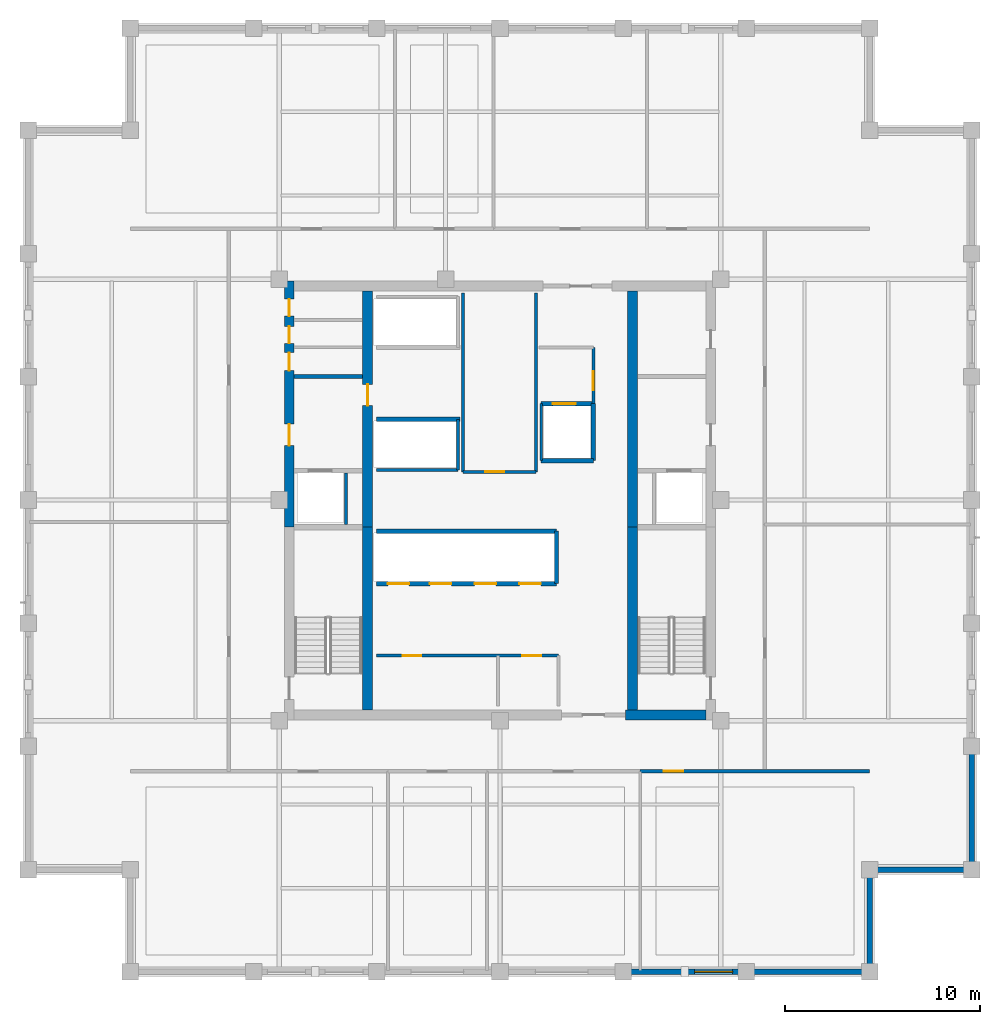
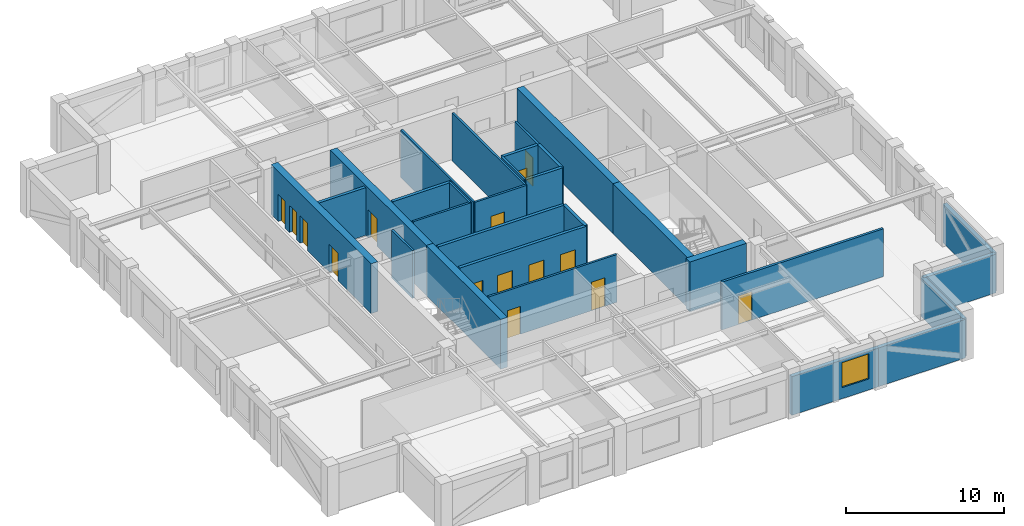
# One storey, part 6 of 11: 29 walls, 15 doors, 1 window, 16 openings.
"""IFC4 building model written with IfcOpenShell, lengths in metres."""

from ifc_helpers import new_model, si_unit, direction, frame, frame_2d, origin, place, context, subcontext, project, spatial, rectangle, extrude, material, layer, layer_set, type_object, element, fill, save


model = new_model("IFC4")

# Units and contexts
model_context = context("Model", 3, precision=1e-05, world=origin(), true_north=direction((0.0, 1.0)))
body_context = subcontext(model_context, "Body", "Model", "MODEL_VIEW")
ifc_project = project(units=[si_unit("LENGTHUNIT", "METRE"), si_unit("AREAUNIT", "SQUARE_METRE"), si_unit("VOLUMEUNIT", "CUBIC_METRE"), si_unit("PLANEANGLEUNIT", "RADIAN"), si_unit("MASSUNIT", "GRAM", prefix="KILO")], contexts=[model_context])

# Site, building, storey
site_placement = place(None, origin())
site = spatial("IfcSite", under=ifc_project, at=site_placement, CompositionType="ELEMENT")
building_placement = place(site_placement, origin())
building = spatial("IfcBuilding", under=site, at=building_placement, Name="Nhamokura Convention Tower", CompositionType="ELEMENT")
storey_placement = place(building_placement, frame((0.0, 0.0, 198.449951171875)))
storey = spatial("IfcBuildingStorey", under=building, at=storey_placement, Name="L48", CompositionType="ELEMENT", Elevation=198.449951171875)

# Wall, opening, window
ifc_material_1 = material(Name="Bronze-pigmented precast concrete C45/55", Category="concrete")
ifc_layer_1 = layer(ifc_material_1, 0.280029296875)
ifc_layer_set_1 = layer_set([ifc_layer_1], Name="BronzePrecastSpandrel_280")
wall_type_1 = type_object("IfcWallType", Name="BronzePrecastSpandrel_280", PredefinedType="USERDEFINED", material=ifc_layer_set_1)
wall_1_placement = place(storey_placement, frame((44.666748046875, 7.75, 0.0), z_axis=(0.0, 0.0, 1.0), x_axis=(-1.0, 0.0, 0.0)))
wall_1 = element("IfcWall", 1, at=wall_1_placement, inside=storey, type_object=wall_type_1, Name="L48 Masonry-Frame Wall SOUTH 4", ObjectType="SPANDREL_WALL", PredefinedType="USERDEFINED", context=body_context, shape_type="SweptSolid", body=[
    extrude(rectangle(XDim=6.33349609375, YDim=0.280029296875, at=frame_2d((3.166748046875, 0.0))), origin(), (0.0, 0.0, 1.0), 2.985107421875),
])
opening_1_placement = place(wall_1_placement, frame((0.708251953125, 0.0, 0.85009765625)))
opening_1 = element("IfcOpeningElement", 2, at=opening_1_placement, cuts=wall_1, Name="Opening W-08", PredefinedType="OPENING", context=body_context, shape_type="SweptSolid", body=[
    extrude(rectangle(XDim=1.949951171875, YDim=1.93505859375, at=frame_2d((0.97509765625, 0.967529296875))), frame((0.0, 0.14990234375, 0.0), z_axis=(0.0, -1.0, 0.0), x_axis=(1.0, 0.0, 0.0)), (0.0, 0.0, 1.0), 0.300048828125),
])
ifc_material_2 = material(Name="Solar-control bronze low-E double glass", Category="glass")
window_type = type_object("IfcWindowType", Name="OfficeModuleWindow_Z3_1950", PartitioningType="SINGLE_PANEL", PredefinedType="WINDOW", material=ifc_material_2)
window_placement = place(opening_1_placement, origin())
window = element("IfcWindow", 3, at=window_placement, inside=storey, type_object=window_type, Name="L48 Facade Window SOUTH 4-1", OverallHeight=1.93505859375, OverallWidth=1.949951171875, PartitioningType="SINGLE_PANEL", PredefinedType="WINDOW", context=body_context, shape_type="SweptSolid", body=[
    extrude(rectangle(XDim=1.949951171875, YDim=1.93505859375, at=frame_2d((0.97509765625, 0.967529296875))), frame((0.0, 0.030029296875, 0.0), z_axis=(0.0, -1.0, 0.0), x_axis=(1.0, 0.0, 0.0)), (0.0, 0.0, 1.0), 0.06005859375),
])
fill(opening_1, window)

# Walls
for number, where, z_axis, x_axis, name in (
    (4, (51.0, 7.75, 0.0), (0.0, 0.0, 1.0), (-1.0, 0.0, 0.0), "L48 Braced-Bay Precast Wall SOUTH 5"),
    (5, (56.25, 19.333251953125, 0.0), (0.0, 0.0, 1.0), (0.0, -1.0, 0.0), "L48 Braced-Bay Precast Wall EAST 0"),
):
    element("IfcWall", number, at=place(storey_placement, frame(where, z_axis=z_axis, x_axis=x_axis)), inside=storey, type_object=wall_type_1, Name=name, ObjectType="SPANDREL_WALL", PredefinedType="USERDEFINED", context=body_context, shape_type="SweptSolid", body=[
        extrude(rectangle(XDim=6.333251953125, YDim=0.280029296875, at=frame_2d((3.16650390625, 0.0))), origin(), (0.0, 0.0, 1.0), 2.985107421875),
    ])
for number, where, z_axis, x_axis, name in (
    (6, (51.0, 13.0, 0.0), (0.0, 0.0, 1.0), (0.0, -1.0, 0.0), "L48 Notched Corner Wall SE1"),
    (7, (56.25, 13.0, 0.0), (0.0, 0.0, 1.0), (-1.0, 0.0, 0.0), "L48 Notched Corner Wall SE2"),
):
    element("IfcWall", number, at=place(storey_placement, frame(where, z_axis=z_axis, x_axis=x_axis)), inside=storey, type_object=wall_type_1, Name=name, ObjectType="SPANDREL_WALL", PredefinedType="USERDEFINED", context=body_context, shape_type="SweptSolid", body=[
        extrude(rectangle(XDim=5.25, YDim=0.280029296875, at=frame_2d((2.625, 0.0))), origin(), (0.0, 0.0, 1.0), 2.985107421875),
    ])

# Wall, openings, doors
ifc_material_3 = material(Name="Concrete C60/75", Category="concrete")
ifc_layer_2 = layer(ifc_material_3, 0.5)
ifc_layer_set_2 = layer_set([ifc_layer_2], Name="CoreShearWall_500")
wall_type_2 = type_object("IfcWallType", Name="CoreShearWall_500", PredefinedType="SHEAR", material=ifc_layer_set_2)
wall_2_placement = place(storey_placement, frame((21.159912109375, 30.60009765625, 0.0), z_axis=(0.0, 0.0, 1.0), x_axis=(0.0, 1.0, 0.0)))
wall_2 = element("IfcWall", 8, at=wall_2_placement, inside=storey, type_object=wall_type_2, Name="L48 Core Shear Wall CW-WN", PredefinedType="SHEAR", context=body_context, shape_type="SweptSolid", body=[
    extrude(rectangle(XDim=12.64990234375, YDim=0.5, at=frame_2d((6.324951171875, 0.0))), origin(), (0.0, 0.0, 1.0), 3.85009765625),
])
opening_2_placement = place(wall_2_placement, frame((4.199951171875, 0.0, 0.0)))
opening_2 = element("IfcOpeningElement", 9, at=opening_2_placement, cuts=wall_2, Name="Opening D-05", PredefinedType="OPENING", context=body_context, shape_type="SweptSolid", body=[
    extrude(rectangle(XDim=1.10009765625, YDim=2.14990234375, at=frame_2d((0.550048828125, 1.074951171875))), frame((0.0, 0.260009765625, 0.0), z_axis=(0.0, -1.0, 0.0), x_axis=(1.0, 0.0, 0.0)), (0.0, 0.0, 1.0), 0.52001953125),
])
opening_3_placement = place(wall_2_placement, frame((8.050048828125, 0.0, 0.0)))
opening_3 = element("IfcOpeningElement", 10, at=opening_3_placement, cuts=wall_2, Name="Opening D-10", PredefinedType="OPENING", context=body_context, shape_type="SweptSolid", body=[
    extrude(rectangle(XDim=0.919921875, YDim=2.10009765625, at=frame_2d((0.4599609375, 1.050048828125))), frame((0.0, 0.260009765625, 0.0), z_axis=(0.0, -1.0, 0.0), x_axis=(1.0, 0.0, 0.0)), (0.0, 0.0, 1.0), 0.52001953125),
])
opening_4_placement = place(wall_2_placement, frame((9.449951171875, 0.0, 0.0)))
opening_4 = element("IfcOpeningElement", 11, at=opening_4_placement, cuts=wall_2, Name="Opening D-11", PredefinedType="OPENING", context=body_context, shape_type="SweptSolid", body=[
    extrude(rectangle(XDim=0.8798828125, YDim=2.10009765625, at=frame_2d((0.43994140625, 1.050048828125))), frame((0.0, 0.260009765625, 0.0), z_axis=(0.0, -1.0, 0.0), x_axis=(1.0, 0.0, 0.0)), (0.0, 0.0, 1.0), 0.52001953125),
])
opening_5_placement = place(wall_2_placement, frame((10.85009765625, 0.0, 0.0)))
opening_5 = element("IfcOpeningElement", 12, at=opening_5_placement, cuts=wall_2, Name="Opening D-11", PredefinedType="OPENING", context=body_context, shape_type="SweptSolid", body=[
    extrude(rectangle(XDim=0.8798828125, YDim=2.10009765625, at=frame_2d((0.43994140625, 1.050048828125))), frame((0.0, 0.260009765625, 0.0), z_axis=(0.0, -1.0, 0.0), x_axis=(1.0, 0.0, 0.0)), (0.0, 0.0, 1.0), 0.52001953125),
])
ifc_material_4 = material(Name="Solid oak hardwood", Category="wood")
door_type_1 = type_object("IfcDoorType", Name="AccessibleWCDoor_920", OperationType="NOTDEFINED", PredefinedType="DOOR", material=ifc_material_4)
door_1_placement = place(opening_3_placement, origin())
door_1 = element("IfcDoor", 13, at=door_1_placement, inside=storey, type_object=door_type_1, Name="L48 Core Door INT-L48-D-AWC", OperationType="SINGLE_SWING_LEFT", OverallHeight=2.10009765625, OverallWidth=0.919921875, PredefinedType="DOOR", context=body_context, shape_type="SweptSolid", body=[
    extrude(rectangle(XDim=0.919921875, YDim=2.10009765625, at=frame_2d((0.4599609375, 1.050048828125))), frame((0.0, 0.02490234375, 0.0), z_axis=(0.0, -1.0, 0.0), x_axis=(1.0, 0.0, 0.0)), (0.0, 0.0, 1.0), 0.050048828125),
])
fill(opening_3, door_1)
ifc_material_5 = material(Name="Solid oak hardwood", Category="wood")
door_type_2 = type_object("IfcDoorType", Name="BathroomDoor_880", OperationType="NOTDEFINED", PredefinedType="DOOR", material=ifc_material_5)
door_2_placement = place(opening_4_placement, origin())
door_2 = element("IfcDoor", 14, at=door_2_placement, inside=storey, type_object=door_type_2, Name="L48 Core Door INT-L48-D-CLN", OperationType="SINGLE_SWING_RIGHT", OverallHeight=2.10009765625, OverallWidth=0.8798828125, PredefinedType="DOOR", context=body_context, shape_type="SweptSolid", body=[
    extrude(rectangle(XDim=0.8798828125, YDim=2.10009765625, at=frame_2d((0.43994140625, 1.050048828125))), frame((0.0, 0.02490234375, 0.0), z_axis=(0.0, -1.0, 0.0), x_axis=(1.0, 0.0, 0.0)), (0.0, 0.0, 1.0), 0.050048828125),
])
fill(opening_4, door_2)
door_3_placement = place(opening_5_placement, origin())
door_3 = element("IfcDoor", 15, at=door_3_placement, inside=storey, type_object=door_type_2, Name="L48 Core Door INT-L48-D-PNT", OperationType="SINGLE_SWING_LEFT", OverallHeight=2.10009765625, OverallWidth=0.8798828125, PredefinedType="DOOR", context=body_context, shape_type="SweptSolid", body=[
    extrude(rectangle(XDim=0.8798828125, YDim=2.10009765625, at=frame_2d((0.43994140625, 1.050048828125))), frame((0.0, 0.02490234375, 0.0), z_axis=(0.0, -1.0, 0.0), x_axis=(1.0, 0.0, 0.0)), (0.0, 0.0, 1.0), 0.050048828125),
])
fill(opening_5, door_3)
ifc_material_6 = material(Name="Fire-rated steel door", Category="steel")
door_type_3 = type_object("IfcDoorType", Name="FireLobbyDoor_1100", OperationType="NOTDEFINED", PredefinedType="DOOR", material=ifc_material_6)
door_4_placement = place(opening_2_placement, origin())
door_4 = element("IfcDoor", 16, at=door_4_placement, inside=storey, type_object=door_type_3, Name="L48 Core Door INT-L48-D-FFLW", OperationType="SINGLE_SWING_RIGHT", OverallHeight=2.14990234375, OverallWidth=1.10009765625, PredefinedType="DOOR", context=body_context, shape_type="SweptSolid", body=[
    extrude(rectangle(XDim=1.10009765625, YDim=2.14990234375, at=frame_2d((0.550048828125, 1.074951171875))), frame((0.0, 0.02490234375, 0.0), z_axis=(0.0, -1.0, 0.0), x_axis=(1.0, 0.0, 0.0)), (0.0, 0.0, 1.0), 0.050048828125),
])
fill(opening_2, door_4)

# Walls
wall_3_placement = place(storey_placement, frame((38.449951171875, 20.949951171875, 0.0), z_axis=(0.0, 0.0, 1.0), x_axis=(1.0, 0.0, 0.0)))
element("IfcWall", 17, at=wall_3_placement, inside=storey, type_object=wall_type_2, Name="L48 Core Shear Wall CW-S2", PredefinedType="SHEAR", context=body_context, shape_type="SweptSolid", body=[
    extrude(rectangle(XDim=4.14013671875, YDim=0.5, at=frame_2d((2.070068359375, 0.0))), origin(), (0.0, 0.0, 1.0), 3.85009765625),
])
wall_4_placement = place(storey_placement, frame((25.18994140625, 21.199951171875, 0.0), z_axis=(0.0, 0.0, 1.0), x_axis=(0.0, 1.0, 0.0)))
element("IfcWall", 18, at=wall_4_placement, inside=storey, type_object=wall_type_2, Name="L48 Core Shear Wall CW-IWS", PredefinedType="SHEAR", context=body_context, shape_type="SweptSolid", body=[
    extrude(rectangle(XDim=9.400146484375, YDim=0.5, at=frame_2d((4.7001953125, 0.0))), origin(), (0.0, 0.0, 1.0), 3.85009765625),
])

# Wall, opening, door
wall_5_placement = place(storey_placement, frame((25.18994140625, 30.60009765625, 0.0), z_axis=(0.0, 0.0, 1.0), x_axis=(0.0, 1.0, 0.0)))
wall_5 = element("IfcWall", 19, at=wall_5_placement, inside=storey, type_object=wall_type_2, Name="L48 Core Shear Wall CW-IWN", PredefinedType="SHEAR", context=body_context, shape_type="SweptSolid", body=[
    extrude(rectangle(XDim=12.14990234375, YDim=0.5, at=frame_2d((6.074951171875, 0.0))), origin(), (0.0, 0.0, 1.0), 3.85009765625),
])
opening_6_placement = place(wall_5_placement, frame((6.25, 0.0, 0.0)))
opening_6 = element("IfcOpeningElement", 20, at=opening_6_placement, cuts=wall_5, Name="Opening D-05", PredefinedType="OPENING", context=body_context, shape_type="SweptSolid", body=[
    extrude(rectangle(XDim=1.10009765625, YDim=2.14990234375, at=frame_2d((0.550048828125, 1.074951171875))), frame((0.0, 0.260009765625, 0.0), z_axis=(0.0, -1.0, 0.0), x_axis=(1.0, 0.0, 0.0)), (0.0, 0.0, 1.0), 0.52001953125),
])
door_5_placement = place(opening_6_placement, origin())
door_5 = element("IfcDoor", 21, at=door_5_placement, inside=storey, type_object=door_type_3, Name="L48 Core Door INT-L48-D-B3LOB", OperationType="SINGLE_SWING_LEFT", OverallHeight=2.14990234375, OverallWidth=1.10009765625, PredefinedType="DOOR", context=body_context, shape_type="SweptSolid", body=[
    extrude(rectangle(XDim=1.10009765625, YDim=2.14990234375, at=frame_2d((0.550048828125, 1.074951171875))), frame((0.0, 0.02490234375, 0.0), z_axis=(0.0, -1.0, 0.0), x_axis=(1.0, 0.0, 0.0)), (0.0, 0.0, 1.0), 0.050048828125),
])
fill(opening_6, door_5)

# Walls
wall_6_placement = place(storey_placement, frame((38.81005859375, 21.199951171875, 0.0), z_axis=(0.0, 0.0, 1.0), x_axis=(0.0, 1.0, 0.0)))
element("IfcWall", 22, at=wall_6_placement, inside=storey, type_object=wall_type_2, Name="L48 Core Shear Wall CW-IES", PredefinedType="SHEAR", context=body_context, shape_type="SweptSolid", body=[
    extrude(rectangle(XDim=9.400146484375, YDim=0.5, at=frame_2d((4.7001953125, 0.0))), origin(), (0.0, 0.0, 1.0), 3.85009765625),
])
wall_7_placement = place(storey_placement, frame((38.81005859375, 30.60009765625, 0.0), z_axis=(0.0, 0.0, 1.0), x_axis=(0.0, 1.0, 0.0)))
element("IfcWall", 23, at=wall_7_placement, inside=storey, type_object=wall_type_2, Name="L48 Core Shear Wall CW-IEN", PredefinedType="SHEAR", context=body_context, shape_type="SweptSolid", body=[
    extrude(rectangle(XDim=12.14990234375, YDim=0.5, at=frame_2d((6.074951171875, 0.0))), origin(), (0.0, 0.0, 1.0), 3.85009765625),
])

# Wall, opening, door
ifc_material_7 = material(Name="Fire-rated gypsum and masonry partition", Category="masonry")
ifc_layer_3 = layer(ifc_material_7, 0.179931640625)
ifc_layer_set_3 = layer_set([ifc_layer_3], Name="CorridorRatedWall_180")
wall_type_3 = type_object("IfcWallType", Name="CorridorRatedWall_180", PredefinedType="STANDARD", material=ifc_layer_set_3)
wall_8_placement = place(storey_placement, frame((39.208251953125, 18.050048828125, 0.0), z_axis=(0.0, 0.0, 1.0), x_axis=(1.0, 0.0, 0.0)))
wall_8 = element("IfcWall", 24, at=wall_8_placement, inside=storey, type_object=wall_type_3, Name="L48 Wall INT-L48-CW-S03", PredefinedType="STANDARD", context=body_context, shape_type="SweptSolid", body=[
    extrude(rectangle(XDim=11.791748046875, YDim=0.179931640625, at=frame_2d((5.89599609375, 0.0))), origin(), (0.0, 0.0, 1.0), 3.68505859375),
])
opening_7_placement = place(wall_8_placement, frame((1.220703125, 0.0, 0.0)))
opening_7 = element("IfcOpeningElement", 25, at=opening_7_placement, cuts=wall_8, Name="Opening D-08", PredefinedType="OPENING", context=body_context, shape_type="SweptSolid", body=[
    extrude(rectangle(XDim=0.97998046875, YDim=2.199951171875, at=frame_2d((0.489990234375, 1.10009765625))), frame((0.0, 0.099853515625, 0.0), z_axis=(0.0, -1.0, 0.0), x_axis=(1.0, 0.0, 0.0)), (0.0, 0.0, 1.0), 0.199951171875),
])
ifc_material_8 = material(Name="Solid oak hardwood", Category="wood")
door_type_4 = type_object("IfcDoorType", Name="OfficeEntryDoor_980", OperationType="NOTDEFINED", PredefinedType="DOOR", material=ifc_material_8)
door_6_placement = place(opening_7_placement, origin())
door_6 = element("IfcDoor", 26, at=door_6_placement, inside=storey, type_object=door_type_4, Name="L48 Private Office S04 Door", OperationType="SINGLE_SWING_RIGHT", OverallHeight=2.199951171875, OverallWidth=0.97998046875, PredefinedType="DOOR", context=body_context, shape_type="SweptSolid", body=[
    extrude(rectangle(XDim=0.97998046875, YDim=2.199951171875, at=frame_2d((0.489990234375, 1.10009765625))), frame((0.0, 0.02490234375, 0.0), z_axis=(0.0, -1.0, 0.0), x_axis=(1.0, 0.0, 0.0)), (0.0, 0.0, 1.0), 0.050048828125),
])
fill(opening_7, door_6)

# Wall
ifc_material_9 = material(Name="Autoclaved concrete blockwork", Category="masonry")
ifc_layer_4 = layer(ifc_material_9, 0.219970703125)
ifc_layer_set_4 = layer_set([ifc_layer_4], Name="FireLobbyWall_220")
wall_type_4 = type_object("IfcWallType", Name="FireLobbyWall_220", PredefinedType="STANDARD", material=ifc_layer_set_4)
wall_9_placement = place(storey_placement, frame((21.409912109375, 38.35009765625, 0.0), z_axis=(0.0, 0.0, 1.0), x_axis=(1.0, 0.0, 0.0)))
element("IfcWall", 27, at=wall_9_placement, inside=storey, type_object=wall_type_4, Name="L48 Wall INT-L48-FFW-N", PredefinedType="STANDARD", context=body_context, shape_type="SweptSolid", body=[
    extrude(rectangle(XDim=3.530029296875, YDim=0.219970703125, at=frame_2d((1.76513671875, 0.0))), origin(), (0.0, 0.0, 1.0), 3.68505859375),
])

# Wall, openings, doors
wall_10_placement = place(storey_placement, frame((25.64990234375, 27.699951171875, 0.0), z_axis=(0.0, 0.0, 1.0), x_axis=(1.0, 0.0, 0.0)))
wall_10 = element("IfcWall", 28, at=wall_10_placement, inside=storey, type_object=wall_type_4, Name="L48 Wall INT-L48-B2S", PredefinedType="STANDARD", context=body_context, shape_type="SweptSolid", body=[
    extrude(rectangle(XDim=9.25, YDim=0.219970703125, at=frame_2d((4.625, 0.0))), origin(), (0.0, 0.0, 1.0), 3.68505859375),
])
opening_8_placement = place(wall_10_placement, frame((0.580078125, 0.0, 0.0)))
opening_8 = element("IfcOpeningElement", 29, at=opening_8_placement, cuts=wall_10, Name="Opening LD-01", PredefinedType="OPENING", context=body_context, shape_type="SweptSolid", body=[
    extrude(rectangle(XDim=1.10009765625, YDim=2.14990234375, at=frame_2d((0.550048828125, 1.074951171875))), frame((0.0, 0.119873046875, 0.0), z_axis=(0.0, -1.0, 0.0), x_axis=(1.0, 0.0, 0.0)), (0.0, 0.0, 1.0), 0.239990234375),
])
opening_9_placement = place(wall_10_placement, frame((2.75, 0.0, 0.0)))
opening_9 = element("IfcOpeningElement", 30, at=opening_9_placement, cuts=wall_10, Name="Opening LD-01", PredefinedType="OPENING", context=body_context, shape_type="SweptSolid", body=[
    extrude(rectangle(XDim=1.10009765625, YDim=2.14990234375, at=frame_2d((0.550048828125, 1.074951171875))), frame((0.0, 0.119873046875, 0.0), z_axis=(0.0, -1.0, 0.0), x_axis=(1.0, 0.0, 0.0)), (0.0, 0.0, 1.0), 0.239990234375),
])
opening_10_placement = place(wall_10_placement, frame((5.050048828125, 0.0, 0.0)))
opening_10 = element("IfcOpeningElement", 31, at=opening_10_placement, cuts=wall_10, Name="Opening LD-01", PredefinedType="OPENING", context=body_context, shape_type="SweptSolid", body=[
    extrude(rectangle(XDim=1.10009765625, YDim=2.14990234375, at=frame_2d((0.550048828125, 1.074951171875))), frame((0.0, 0.119873046875, 0.0), z_axis=(0.0, -1.0, 0.0), x_axis=(1.0, 0.0, 0.0)), (0.0, 0.0, 1.0), 0.239990234375),
])
opening_11_placement = place(wall_10_placement, frame((7.35009765625, 0.0, 0.0)))
opening_11 = element("IfcOpeningElement", 32, at=opening_11_placement, cuts=wall_10, Name="Opening LD-01", PredefinedType="OPENING", context=body_context, shape_type="SweptSolid", body=[
    extrude(rectangle(XDim=1.10009765625, YDim=2.14990234375, at=frame_2d((0.550048828125, 1.074951171875))), frame((0.0, 0.119873046875, 0.0), z_axis=(0.0, -1.0, 0.0), x_axis=(1.0, 0.0, 0.0)), (0.0, 0.0, 1.0), 0.239990234375),
])
ifc_material_10 = material(Name="Anodised bronze stainless steel", Category="steel")
door_type_5 = type_object("IfcDoorType", Name="LiftLandingDoor_Passenger", OperationType="DOUBLE_DOOR_SLIDING", PredefinedType="DOOR", material=ifc_material_10)
door_7_placement = place(opening_8_placement, origin())
door_7 = element("IfcDoor", 33, at=door_7_placement, inside=storey, type_object=door_type_5, Name="L48 Lift LP-05 Landing Door", OperationType="DOUBLE_DOOR_SLIDING", OverallHeight=2.14990234375, OverallWidth=1.10009765625, PredefinedType="DOOR", context=body_context, shape_type="SweptSolid", body=[
    extrude(rectangle(XDim=1.10009765625, YDim=2.14990234375, at=frame_2d((0.550048828125, 1.074951171875))), frame((0.0, 0.02490234375, 0.0), z_axis=(0.0, -1.0, 0.0), x_axis=(1.0, 0.0, 0.0)), (0.0, 0.0, 1.0), 0.050048828125),
])
fill(opening_8, door_7)
door_8_placement = place(opening_9_placement, origin())
door_8 = element("IfcDoor", 34, at=door_8_placement, inside=storey, type_object=door_type_5, Name="L48 Lift LP-06 Landing Door", OperationType="DOUBLE_DOOR_SLIDING", OverallHeight=2.14990234375, OverallWidth=1.10009765625, PredefinedType="DOOR", context=body_context, shape_type="SweptSolid", body=[
    extrude(rectangle(XDim=1.10009765625, YDim=2.14990234375, at=frame_2d((0.550048828125, 1.074951171875))), frame((0.0, 0.02490234375, 0.0), z_axis=(0.0, -1.0, 0.0), x_axis=(1.0, 0.0, 0.0)), (0.0, 0.0, 1.0), 0.050048828125),
])
fill(opening_9, door_8)
door_9_placement = place(opening_10_placement, origin())
door_9 = element("IfcDoor", 35, at=door_9_placement, inside=storey, type_object=door_type_5, Name="L48 Lift LP-07 Landing Door", OperationType="DOUBLE_DOOR_SLIDING", OverallHeight=2.14990234375, OverallWidth=1.10009765625, PredefinedType="DOOR", context=body_context, shape_type="SweptSolid", body=[
    extrude(rectangle(XDim=1.10009765625, YDim=2.14990234375, at=frame_2d((0.550048828125, 1.074951171875))), frame((0.0, 0.02490234375, 0.0), z_axis=(0.0, -1.0, 0.0), x_axis=(1.0, 0.0, 0.0)), (0.0, 0.0, 1.0), 0.050048828125),
])
fill(opening_10, door_9)
door_10_placement = place(opening_11_placement, origin())
door_10 = element("IfcDoor", 36, at=door_10_placement, inside=storey, type_object=door_type_5, Name="L48 Lift LP-08 Landing Door", OperationType="DOUBLE_DOOR_SLIDING", OverallHeight=2.14990234375, OverallWidth=1.10009765625, PredefinedType="DOOR", context=body_context, shape_type="SweptSolid", body=[
    extrude(rectangle(XDim=1.10009765625, YDim=2.14990234375, at=frame_2d((0.550048828125, 1.074951171875))), frame((0.0, 0.02490234375, 0.0), z_axis=(0.0, -1.0, 0.0), x_axis=(1.0, 0.0, 0.0)), (0.0, 0.0, 1.0), 0.050048828125),
])
fill(opening_11, door_10)

# Walls
wall_11_placement = place(storey_placement, frame((25.64990234375, 30.39990234375, 0.0), z_axis=(0.0, 0.0, 1.0), x_axis=(1.0, 0.0, 0.0)))
element("IfcWall", 37, at=wall_11_placement, inside=storey, type_object=wall_type_4, Name="L48 Wall INT-L48-B2N", PredefinedType="STANDARD", context=body_context, shape_type="SweptSolid", body=[
    extrude(rectangle(XDim=9.25, YDim=0.219970703125, at=frame_2d((4.625, 0.0))), origin(), (0.0, 0.0, 1.0), 3.68505859375),
])
wall_12_placement = place(storey_placement, frame((34.89990234375, 27.699951171875, 0.0), z_axis=(0.0, 0.0, 1.0), x_axis=(0.0, 1.0, 0.0)))
element("IfcWall", 38, at=wall_12_placement, inside=storey, type_object=wall_type_4, Name="L48 Wall INT-L48-B2E", PredefinedType="STANDARD", context=body_context, shape_type="SweptSolid", body=[
    extrude(rectangle(XDim=2.699951171875, YDim=0.219970703125, at=frame_2d((1.35009765625, 0.0))), origin(), (0.0, 0.0, 1.0), 3.68505859375),
])
wall_13_placement = place(storey_placement, frame((25.64990234375, 36.14990234375, 0.0), z_axis=(0.0, 0.0, 1.0), x_axis=(1.0, 0.0, 0.0)))
element("IfcWall", 39, at=wall_13_placement, inside=storey, type_object=wall_type_4, Name="L48 Wall INT-L48-B3S", PredefinedType="STANDARD", context=body_context, shape_type="SweptSolid", body=[
    extrude(rectangle(XDim=4.300048828125, YDim=0.219970703125, at=frame_2d((2.14990234375, 0.0))), origin(), (0.0, 0.0, 1.0), 3.68505859375),
])

# Wall, opening, door
wall_14_placement = place(storey_placement, frame((34.1201171875, 36.949951171875, 0.0), z_axis=(0.0, 0.0, 1.0), x_axis=(1.0, 0.0, 0.0)))
wall_14 = element("IfcWall", 40, at=wall_14_placement, inside=storey, type_object=wall_type_4, Name="L48 Wall INT-L48-LSN", PredefinedType="STANDARD", context=body_context, shape_type="SweptSolid", body=[
    extrude(rectangle(XDim=2.679931640625, YDim=0.219970703125, at=frame_2d((1.33984375, 0.0))), origin(), (0.0, 0.0, 1.0), 3.68505859375),
])
opening_12_placement = place(wall_14_placement, frame((0.580078125, 0.0, 0.0)))
opening_12 = element("IfcOpeningElement", 41, at=opening_12_placement, cuts=wall_14, Name="Opening LD-02", PredefinedType="OPENING", context=body_context, shape_type="SweptSolid", body=[
    extrude(rectangle(XDim=1.199951171875, YDim=2.199951171875, at=frame_2d((0.60009765625, 1.10009765625))), frame((0.0, 0.119873046875, 0.0), z_axis=(0.0, -1.0, 0.0), x_axis=(1.0, 0.0, 0.0)), (0.0, 0.0, 1.0), 0.239990234375),
])
ifc_material_11 = material(Name="Anodised bronze stainless steel", Category="steel")
door_type_6 = type_object("IfcDoorType", Name="LiftLandingDoor_FireService", OperationType="DOUBLE_DOOR_SLIDING", PredefinedType="DOOR", material=ifc_material_11)
door_11_placement = place(opening_12_placement, origin())
door_11 = element("IfcDoor", 42, at=door_11_placement, inside=storey, type_object=door_type_6, Name="L48 Service Lift LS-01 Door", OperationType="DOUBLE_DOOR_SLIDING", OverallHeight=2.199951171875, OverallWidth=1.199951171875, PredefinedType="DOOR", context=body_context, shape_type="SweptSolid", body=[
    extrude(rectangle(XDim=1.199951171875, YDim=2.199951171875, at=frame_2d((0.60009765625, 1.10009765625))), frame((0.0, 0.02490234375, 0.0), z_axis=(0.0, -1.0, 0.0), x_axis=(1.0, 0.0, 0.0)), (0.0, 0.0, 1.0), 0.050048828125),
])
fill(opening_12, door_11)

# Walls
wall_15_placement = place(storey_placement, frame((36.800048828125, 34.02001953125, 0.0), z_axis=(0.0, 0.0, 1.0), x_axis=(0.0, 1.0, 0.0)))
element("IfcWall", 43, at=wall_15_placement, inside=storey, type_object=wall_type_4, Name="L48 Wall INT-L48-LSE", PredefinedType="STANDARD", context=body_context, shape_type="SweptSolid", body=[
    extrude(rectangle(XDim=2.929931640625, YDim=0.219970703125, at=frame_2d((1.46484375, 0.0))), origin(), (0.0, 0.0, 1.0), 3.68505859375),
])
wall_16_placement = place(storey_placement, frame((34.1201171875, 34.02001953125, 0.0), z_axis=(0.0, 0.0, 1.0), x_axis=(1.0, 0.0, 0.0)))
element("IfcWall", 44, at=wall_16_placement, inside=storey, type_object=wall_type_4, Name="L48 Wall INT-L48-LSS", PredefinedType="STANDARD", context=body_context, shape_type="SweptSolid", body=[
    extrude(rectangle(XDim=2.679931640625, YDim=0.219970703125, at=frame_2d((1.33984375, 0.0))), origin(), (0.0, 0.0, 1.0), 3.68505859375),
])
ifc_material_12 = material(Name="Acoustic gypsum stud partition", Category="masonry")
ifc_layer_5 = layer(ifc_material_12, 0.14990234375)
ifc_layer_set_5 = layer_set([ifc_layer_5], Name="InteriorPartition_150")
wall_type_5 = type_object("IfcWallType", Name="InteriorPartition_150", PredefinedType="STANDARD", material=ifc_layer_set_5)
wall_17_placement = place(storey_placement, frame((24.080078125, 30.75, 0.0), z_axis=(0.0, 0.0, 1.0), x_axis=(0.0, 1.0, 0.0)))
element("IfcWall", 45, at=wall_17_placement, inside=storey, type_object=wall_type_5, Name="L48 Wall INT-L48-FF1-E", PredefinedType="STANDARD", context=body_context, shape_type="SweptSolid", body=[
    extrude(rectangle(XDim=2.64990234375, YDim=0.14990234375, at=frame_2d((1.324951171875, 0.0))), origin(), (0.0, 0.0, 1.0), 3.68505859375),
])

# Wall, opening, door
wall_18_placement = place(storey_placement, frame((36.800048828125, 36.949951171875, 0.0), z_axis=(0.0, 0.0, 1.0), x_axis=(0.0, 1.0, 0.0)))
wall_18 = element("IfcWall", 46, at=wall_18_placement, inside=storey, type_object=wall_type_5, Name="L48 Wall INT-L48-NE-TELE", PredefinedType="STANDARD", context=body_context, shape_type="SweptSolid", body=[
    extrude(rectangle(XDim=2.900146484375, YDim=0.14990234375, at=frame_2d((1.4501953125, 0.0))), origin(), (0.0, 0.0, 1.0), 3.68505859375),
])
opening_13_placement = place(wall_18_placement, frame((0.699951171875, 0.0, 0.0)))
opening_13 = element("IfcOpeningElement", 47, at=opening_13_placement, cuts=wall_18, Name="Opening D-08", PredefinedType="OPENING", context=body_context, shape_type="SweptSolid", body=[
    extrude(rectangle(XDim=0.97998046875, YDim=2.199951171875, at=frame_2d((0.489990234375, 1.10009765625))), frame((0.0, 0.0849609375, 0.0), z_axis=(0.0, -1.0, 0.0), x_axis=(1.0, 0.0, 0.0)), (0.0, 0.0, 1.0), 0.169921875),
])
door_12_placement = place(opening_13_placement, origin())
door_12 = element("IfcDoor", 48, at=door_12_placement, inside=storey, type_object=door_type_4, Name="L48 Core Telecom Door", OperationType="SINGLE_SWING_LEFT", OverallHeight=2.199951171875, OverallWidth=0.97998046875, PredefinedType="DOOR", context=body_context, shape_type="SweptSolid", body=[
    extrude(rectangle(XDim=0.97998046875, YDim=2.199951171875, at=frame_2d((0.489990234375, 1.10009765625))), frame((0.0, 0.02490234375, 0.0), z_axis=(0.0, -1.0, 0.0), x_axis=(1.0, 0.0, 0.0)), (0.0, 0.0, 1.0), 0.050048828125),
])
fill(opening_13, door_12)

# Wall, openings, doors
wall_19_placement = place(storey_placement, frame((25.64990234375, 24.0, 0.0), z_axis=(0.0, 0.0, 1.0), x_axis=(1.0, 0.0, 0.0)))
wall_19 = element("IfcWall", 49, at=wall_19_placement, inside=storey, type_object=wall_type_5, Name="L48 Wall INT-L48-B1R-N", PredefinedType="STANDARD", context=body_context, shape_type="SweptSolid", body=[
    extrude(rectangle(XDim=9.35009765625, YDim=0.14990234375, at=frame_2d((4.675048828125, 0.0))), origin(), (0.0, 0.0, 1.0), 3.68505859375),
])
opening_14_placement = place(wall_19_placement, frame((1.35009765625, 0.0, 0.0)))
opening_14 = element("IfcOpeningElement", 50, at=opening_14_placement, cuts=wall_19, Name="Opening D-09", PredefinedType="OPENING", context=body_context, shape_type="SweptSolid", body=[
    extrude(rectangle(XDim=0.949951171875, YDim=2.14990234375, at=frame_2d((0.47509765625, 1.074951171875))), frame((0.0, 0.0849609375, 0.0), z_axis=(0.0, -1.0, 0.0), x_axis=(1.0, 0.0, 0.0)), (0.0, 0.0, 1.0), 0.169921875),
])
opening_15_placement = place(wall_19_placement, frame((7.5, 0.0, 0.0)))
opening_15 = element("IfcOpeningElement", 51, at=opening_15_placement, cuts=wall_19, Name="Opening D-08", PredefinedType="OPENING", context=body_context, shape_type="SweptSolid", body=[
    extrude(rectangle(XDim=0.97998046875, YDim=2.199951171875, at=frame_2d((0.489990234375, 1.10009765625))), frame((0.0, 0.0849609375, 0.0), z_axis=(0.0, -1.0, 0.0), x_axis=(1.0, 0.0, 0.0)), (0.0, 0.0, 1.0), 0.169921875),
])
ifc_material_13 = material(Name="Solid oak hardwood", Category="wood")
door_type_7 = type_object("IfcDoorType", Name="MeetingRoomDoor_950", OperationType="NOTDEFINED", PredefinedType="DOOR", material=ifc_material_13)
door_13_placement = place(opening_14_placement, origin())
door_13 = element("IfcDoor", 52, at=door_13_placement, inside=storey, type_object=door_type_7, Name="L48 Reclaimed Briefing Room Door", OperationType="SINGLE_SWING_LEFT", OverallHeight=2.14990234375, OverallWidth=0.949951171875, PredefinedType="DOOR", context=body_context, shape_type="SweptSolid", body=[
    extrude(rectangle(XDim=0.949951171875, YDim=2.14990234375, at=frame_2d((0.47509765625, 1.074951171875))), frame((0.0, 0.02490234375, 0.0), z_axis=(0.0, -1.0, 0.0), x_axis=(1.0, 0.0, 0.0)), (0.0, 0.0, 1.0), 0.050048828125),
])
fill(opening_14, door_13)
door_14_placement = place(opening_15_placement, origin())
door_14 = element("IfcDoor", 53, at=door_14_placement, inside=storey, type_object=door_type_4, Name="L48 Reclaimed Hub Door", OperationType="SINGLE_SWING_RIGHT", OverallHeight=2.199951171875, OverallWidth=0.97998046875, PredefinedType="DOOR", context=body_context, shape_type="SweptSolid", body=[
    extrude(rectangle(XDim=0.97998046875, YDim=2.199951171875, at=frame_2d((0.489990234375, 1.10009765625))), frame((0.0, 0.02490234375, 0.0), z_axis=(0.0, -1.0, 0.0), x_axis=(1.0, 0.0, 0.0)), (0.0, 0.0, 1.0), 0.050048828125),
])
fill(opening_15, door_14)

# Walls
wall_20_placement = place(storey_placement, frame((25.64990234375, 33.550048828125, 0.0), z_axis=(0.0, 0.0, 1.0), x_axis=(1.0, 0.0, 0.0)))
element("IfcWall", 54, at=wall_20_placement, inside=storey, type_object=wall_type_5, Name="L48 Wall INT-L48-B3A-S", PredefinedType="STANDARD", context=body_context, shape_type="SweptSolid", body=[
    extrude(rectangle(XDim=4.2001953125, YDim=0.14990234375, at=frame_2d((2.10009765625, 0.0))), origin(), (0.0, 0.0, 1.0), 3.68505859375),
])
wall_21_placement = place(storey_placement, frame((29.85009765625, 33.550048828125, 0.0), z_axis=(0.0, 0.0, 1.0), x_axis=(0.0, 1.0, 0.0)))
element("IfcWall", 55, at=wall_21_placement, inside=storey, type_object=wall_type_5, Name="L48 Wall INT-L48-B3A-E", PredefinedType="STANDARD", context=body_context, shape_type="SweptSolid", body=[
    extrude(rectangle(XDim=2.599853515625, YDim=0.14990234375, at=frame_2d((1.2998046875, 0.0))), origin(), (0.0, 0.0, 1.0), 3.68505859375),
])
for number, where, z_axis, x_axis, name in (
    (56, (30.10009765625, 33.449951171875, 0.0), (0.0, 0.0, 1.0), (0.0, 1.0, 0.0), "L48 Wall INT-L48-ST03W"),
    (57, (33.85009765625, 33.449951171875, 0.0), (0.0, 0.0, 1.0), (0.0, 1.0, 0.0), "L48 Wall INT-L48-ST03E"),
):
    element("IfcWall", number, at=place(storey_placement, frame(where, z_axis=z_axis, x_axis=x_axis)), inside=storey, type_object=wall_type_5, Name=name, PredefinedType="STANDARD", context=body_context, shape_type="SweptSolid", body=[
        extrude(rectangle(XDim=9.199951171875, YDim=0.14990234375, at=frame_2d((4.60009765625, 0.0))), origin(), (0.0, 0.0, 1.0), 3.68505859375),
    ])

# Wall, opening, door
wall_22_placement = place(storey_placement, frame((30.10009765625, 33.449951171875, 0.0), z_axis=(0.0, 0.0, 1.0), x_axis=(1.0, 0.0, 0.0)))
wall_22 = element("IfcWall", 58, at=wall_22_placement, inside=storey, type_object=wall_type_5, Name="L48 Wall INT-L48-ST03S", PredefinedType="STANDARD", context=body_context, shape_type="SweptSolid", body=[
    extrude(rectangle(XDim=3.75, YDim=0.14990234375, at=frame_2d((1.875, 0.0))), origin(), (0.0, 0.0, 1.0), 3.68505859375),
])
opening_16_placement = place(wall_22_placement, frame((1.14990234375, 0.0, 0.0)))
opening_16 = element("IfcOpeningElement", 59, at=opening_16_placement, cuts=wall_22, Name="Opening D-08", PredefinedType="OPENING", context=body_context, shape_type="SweptSolid", body=[
    extrude(rectangle(XDim=0.97998046875, YDim=2.199951171875, at=frame_2d((0.489990234375, 1.10009765625))), frame((0.0, 0.0849609375, 0.0), z_axis=(0.0, -1.0, 0.0), x_axis=(1.0, 0.0, 0.0)), (0.0, 0.0, 1.0), 0.169921875),
])
door_15_placement = place(opening_16_placement, origin())
door_15 = element("IfcDoor", 60, at=door_15_placement, inside=storey, type_object=door_type_4, Name="L48 Wellness and Records Room Door", OperationType="SINGLE_SWING_LEFT", OverallHeight=2.199951171875, OverallWidth=0.97998046875, PredefinedType="DOOR", context=body_context, shape_type="SweptSolid", body=[
    extrude(rectangle(XDim=0.97998046875, YDim=2.199951171875, at=frame_2d((0.489990234375, 1.10009765625))), frame((0.0, 0.02490234375, 0.0), z_axis=(0.0, -1.0, 0.0), x_axis=(1.0, 0.0, 0.0)), (0.0, 0.0, 1.0), 0.050048828125),
])
fill(opening_16, door_15)

# Wall
wall_23_placement = place(storey_placement, frame((34.1201171875, 34.02001953125, 0.0), z_axis=(0.0, 0.0, 1.0), x_axis=(0.0, 1.0, 0.0)))
element("IfcWall", 61, at=wall_23_placement, inside=storey, type_object=wall_type_5, Name="L48 Wall INT-L48-LSW", PredefinedType="STANDARD", context=body_context, shape_type="SweptSolid", body=[
    extrude(rectangle(XDim=2.929931640625, YDim=0.14990234375, at=frame_2d((1.46484375, 0.0))), origin(), (0.0, 0.0, 1.0), 3.68505859375),
])

save(model, "model.ifc")
